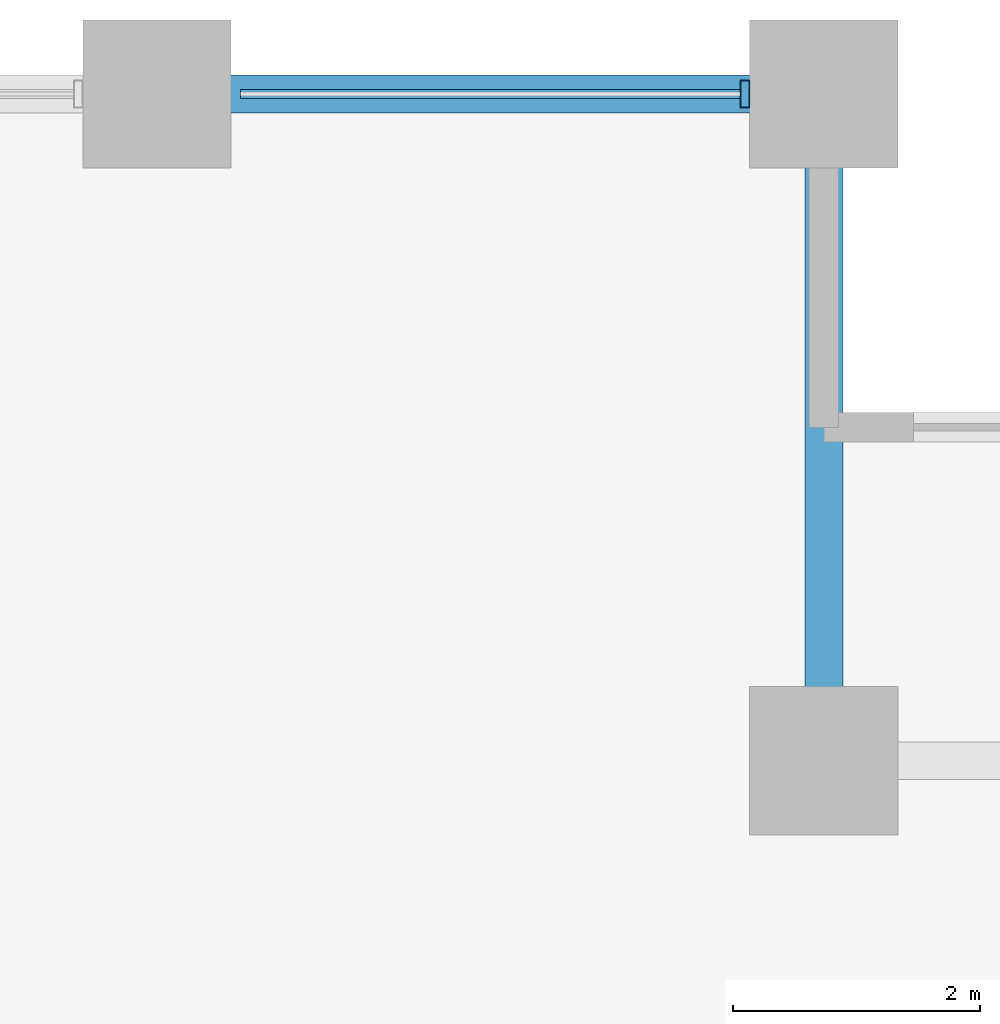
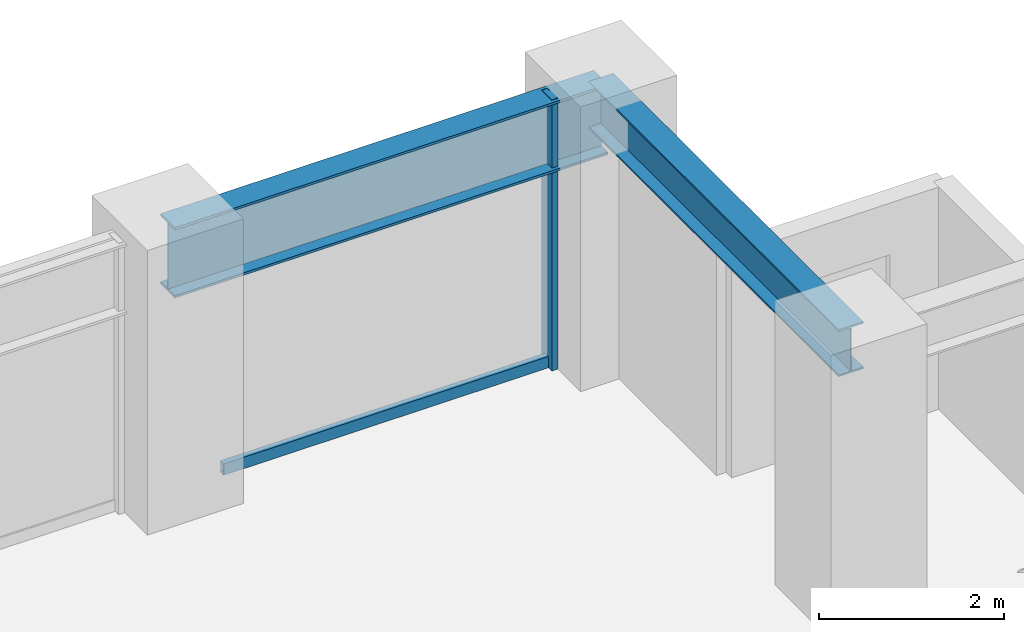
# One storey, part 15 of 26: 2 beams, 2 members, 1 element without a shape of its own.
"""IFC4 building model written with IfcOpenShell, lengths in metres."""

from ifc_helpers import new_model, si_unit, direction, frame, origin, origin_2d, place, context, subcontext, project, spatial, hollow_rectangle, i_section, extrude, material, layer, layer_set, material_profile, profile_set, type_object, element, aggregate, save


model = new_model("IFC4")

# Units and contexts
model_context = context("Model", 3, precision=1e-05, world=origin(), true_north=direction((0.0, 1.0)))
body_context = subcontext(model_context, "Body", "Model", "MODEL_VIEW")
ifc_project = project(units=[si_unit("LENGTHUNIT", "METRE"), si_unit("AREAUNIT", "SQUARE_METRE"), si_unit("VOLUMEUNIT", "CUBIC_METRE"), si_unit("PLANEANGLEUNIT", "RADIAN"), si_unit("MASSUNIT", "GRAM", prefix="KILO")], contexts=[model_context])

# Site, building, storey
site_placement = place(None, origin())
site = spatial("IfcSite", under=ifc_project, at=site_placement, CompositionType="ELEMENT")
building_placement = place(site_placement, origin())
building = spatial("IfcBuilding", under=site, at=building_placement, Name="Surkhivell Harbour Commons", CompositionType="ELEMENT")
storey_placement = place(building_placement, frame((0.0, 0.0, 71.25)))
storey = spatial("IfcBuildingStorey", under=building, at=storey_placement, Name="L18", CompositionType="ELEMENT", Elevation=71.25)

# Beams
ifc_material_1 = material(Name="Steel S355", Category="steel")
ifc_material_profile_1 = material_profile(ifc_material_1, i_section(OverallWidth=0.306884765625, OverallDepth=0.6201171875, WebThickness=0.01416015625, FlangeThickness=0.023681640625, at=origin_2d()), Name="UB610x305x179")
ifc_profile_set_1 = profile_set([ifc_material_profile_1], Name="Steel S355")
beam_type_1 = type_object("IfcBeamType", Name="BM-GRD-610A", PredefinedType="BEAM", material=ifc_profile_set_1)
beam_1_placement = place(storey_placement, frame((27.0, 20.5, 3.260009765625), z_axis=(0.0, 1.0, 0.0), x_axis=(-1.0, 0.0, 0.0)))
element("IfcBeam", 1, at=beam_1_placement, inside=storey, type_object=beam_type_1, Name="L18 Floor Girder (27.0,20.5)", PredefinedType="BEAM", context=body_context, shape_type="SweptSolid", body=[
    extrude(i_section(OverallWidth=0.306884765625, OverallDepth=0.6201171875, WebThickness=0.01416015625, FlangeThickness=0.023681640625, at=origin_2d()), origin(), (0.0, 0.0, 1.0), 5.39990234375),
])
ifc_material_2 = material(Name="Steel S460", Category="steel")
ifc_material_profile_2 = material_profile(ifc_material_2, i_section(OverallWidth=0.30810546875, OverallDepth=0.927001953125, WebThickness=0.01953125, FlangeThickness=0.031982421875, at=origin_2d()), Name="UB914x305x289")
ifc_profile_set_2 = profile_set([ifc_material_profile_2], Name="Steel S460")
beam_type_2 = type_object("IfcBeamType", Name="BM-SPN-914B", PredefinedType="SPANDREL", material=ifc_profile_set_2)
beam_2_placement = place(storey_placement, frame((21.60009765625, 25.89990234375, 3.1064453125), z_axis=(1.0, 0.0, 0.0), x_axis=(0.0, 1.0, 0.0)))
element("IfcBeam", 2, at=beam_2_placement, inside=storey, type_object=beam_type_2, Name="L18 Tube Spandrel (21.6,25.9)", PredefinedType="SPANDREL", context=body_context, shape_type="SweptSolid", body=[
    extrude(i_section(OverallWidth=0.30810546875, OverallDepth=0.927001953125, WebThickness=0.01953125, FlangeThickness=0.031982421875, at=origin_2d()), origin(), (0.0, 0.0, 1.0), 5.39990234375),
])

# Curtain wall, members
ifc_material_3 = material(Name="Anodised pale-metal aluminium and insulated glazing", Category="aluminium")
ifc_layer = layer(ifc_material_3, 0.219970703125)
ifc_layer_set = layer_set([ifc_layer], Name="Anodised pale-metal aluminium and insulated glazing")
curtain_wall_type = type_object("IfcCurtainWallType", Name="CW-SYS-Z1", PredefinedType="NOTDEFINED", material=ifc_layer_set)
curtain_wall_placement = place(storey_placement, origin())
curtain_wall = element("IfcCurtainWall", 3, at=curtain_wall_placement, inside=storey, type_object=curtain_wall_type, Name="L18 Curtain Wall CW-L18-E07S1", PredefinedType="NOTDEFINED")
ifc_material_4 = material(Name="Anodised pale-metal aluminium alloy 6063-T6", Category="aluminium")
ifc_material_profile_3 = material_profile(ifc_material_4, hollow_rectangle(XDim=0.074951171875, YDim=0.219970703125, WallThickness=0.00390625, at=origin_2d()), Name="ALU-MULL-75x220")
ifc_profile_set_3 = profile_set([ifc_material_profile_3], Name="Anodised pale-metal aluminium alloy 6063-T6")
member_type_1 = type_object("IfcMemberType", Name="CWM-220", PredefinedType="MULLION", material=ifc_profile_set_3)
member_1_placement = place(storey_placement, frame((26.360595703125, 25.89990234375, 0.0), z_axis=(0.0, 0.0, 1.0), x_axis=(-1.0, 0.0, 0.0)))
member_1 = element("IfcMember", 4, at=member_1_placement, type_object=member_type_1, Name="CW-Z1 mullion 1", PredefinedType="MULLION", context=body_context, shape_type="SweptSolid", body=[
    extrude(hollow_rectangle(XDim=0.074951171875, YDim=0.219970703125, WallThickness=0.00390625, at=origin_2d()), origin(), (0.0, 0.0, 1.0), 3.570068359375),
])
ifc_material_profile_4 = material_profile(ifc_material_4, hollow_rectangle(XDim=0.074951171875, YDim=0.14990234375, WallThickness=0.00341796875, at=origin_2d()), Name="ALU-TRAN-75x150")
ifc_profile_set_4 = profile_set([ifc_material_profile_4], Name="Anodised pale-metal aluminium alloy 6063-T6")
member_type_2 = type_object("IfcMemberType", Name="CWT-150", PredefinedType="USERDEFINED", material=ifc_profile_set_4)
member_2_placement = place(storey_placement, frame((26.322998046875, 25.89990234375, 0.074951171875), z_axis=(-1.0, 0.0, 0.0), x_axis=(0.0, -1.0, 0.0)))
member_2 = element("IfcMember", 5, at=member_2_placement, type_object=member_type_2, Name="CW-Z1 transom 1.1", ObjectType="TRANSOM", PredefinedType="USERDEFINED", context=body_context, shape_type="SweptSolid", body=[
    extrude(hollow_rectangle(XDim=0.074951171875, YDim=0.14990234375, WallThickness=0.00341796875, at=origin_2d()), origin(), (0.0, 0.0, 1.0), 4.0458984375),
])
aggregate(curtain_wall, [member_1, member_2])

save(model, "model.ifc")
